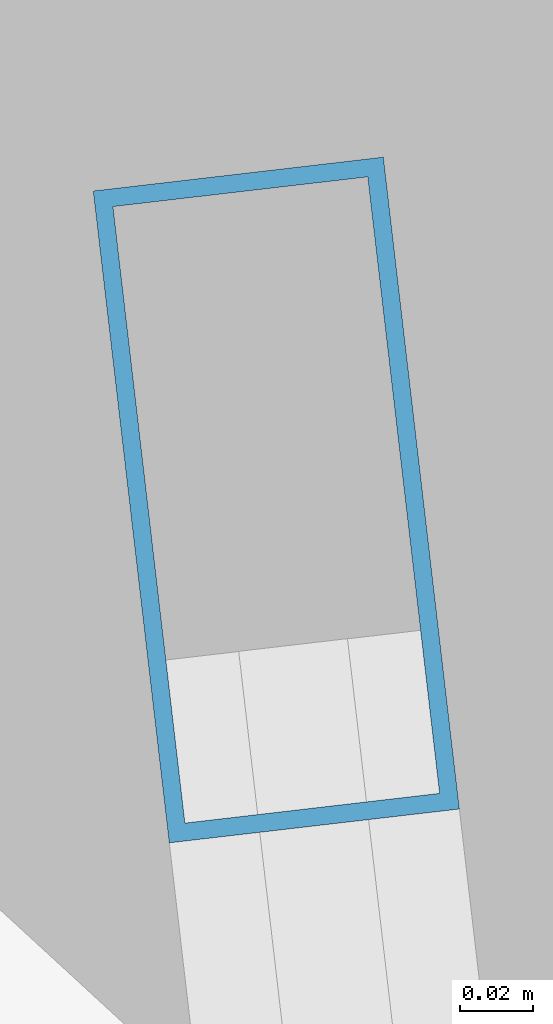
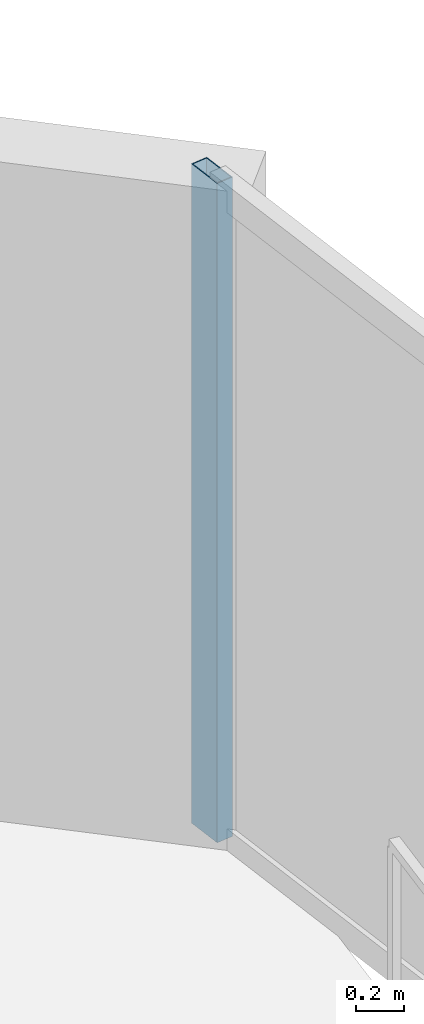
# One storey, part 22 of 31: 1 member, 1 element without a shape of its own.
"""IFC4 building model written with IfcOpenShell, lengths in metres."""

from ifc_helpers import new_model, si_unit, direction, frame, origin, origin_2d, place, context, subcontext, project, spatial, hollow_rectangle, extrude, material, layer, layer_set, material_profile, profile_set, type_object, element, aggregate, save


model = new_model("IFC4")

# Units and contexts
model_context = context("Model", 3, precision=1e-05, world=origin(), true_north=direction((0.0, 1.0)))
body_context = subcontext(model_context, "Body", "Model", "MODEL_VIEW")
ifc_project = project(units=[si_unit("LENGTHUNIT", "METRE"), si_unit("AREAUNIT", "SQUARE_METRE"), si_unit("VOLUMEUNIT", "CUBIC_METRE"), si_unit("PLANEANGLEUNIT", "RADIAN"), si_unit("MASSUNIT", "GRAM", prefix="KILO")], contexts=[model_context])

# Site, building, storey
site_placement = place(None, origin())
site = spatial("IfcSite", under=ifc_project, at=site_placement, CompositionType="ELEMENT")
building_placement = place(site_placement, origin())
building = spatial("IfcBuilding", under=site, at=building_placement, Name="Kazevale Care Tower and Concert Hall", CompositionType="ELEMENT")
storey_placement = place(building_placement, frame((0.0, 0.0, 206.39990234375)))
storey = spatial("IfcBuildingStorey", under=building, at=storey_placement, Name="L54", CompositionType="ELEMENT", Elevation=206.39990234375)

# Curtain wall, member
ifc_material_1 = material(Name="Aluminium 6063-T6 and Low-E Glass", Category="aluminium")
ifc_layer = layer(ifc_material_1, 0.179931640625)
ifc_layer_set = layer_set([ifc_layer], Name="Aluminium 6063-T6 and Low-E Glass")
curtain_wall_type = type_object("IfcCurtainWallType", Name="Waist & Upper Residential Curtain Wall CW-4", PredefinedType="NOTDEFINED", material=ifc_layer_set)
curtain_wall_placement = place(storey_placement, origin())
curtain_wall = element("IfcCurtainWall", 1, at=curtain_wall_placement, inside=storey, type_object=curtain_wall_type, Name="cw:L54:f18", PredefinedType="NOTDEFINED")
ifc_material_2 = material(Name="Aluminium 6063-T6", Category="aluminium")
ifc_material_profile = material_profile(ifc_material_2, hollow_rectangle(XDim=0.080078125, YDim=0.179931640625, WallThickness=0.0048828125, at=origin_2d()), Name="ALU80x180x5")
ifc_profile_set = profile_set([ifc_material_profile], Name="Aluminium 6063-T6")
member_type = type_object("IfcMemberType", Name="CW-4 Mullion ALU80x180x5", PredefinedType="MULLION", material=ifc_profile_set)
member_placement = place(storey_placement, frame((75.2255859375, 49.955322265625, 0.0), z_axis=(0.0, 0.0, 1.0), x_axis=(0.993267109779, 0.115846659989, 0.0)))
member = element("IfcMember", 2, at=member_placement, type_object=member_type, Name="CW-4 mullion 1", PredefinedType="MULLION", context=body_context, shape_type="SweptSolid", body=[
    extrude(hollow_rectangle(XDim=0.080078125, YDim=0.179931640625, WallThickness=0.0048828125, at=origin_2d()), origin(), (0.0, 0.0, 1.0), 3.360107421875),
])
aggregate(curtain_wall, [member])

save(model, "model.ifc")
